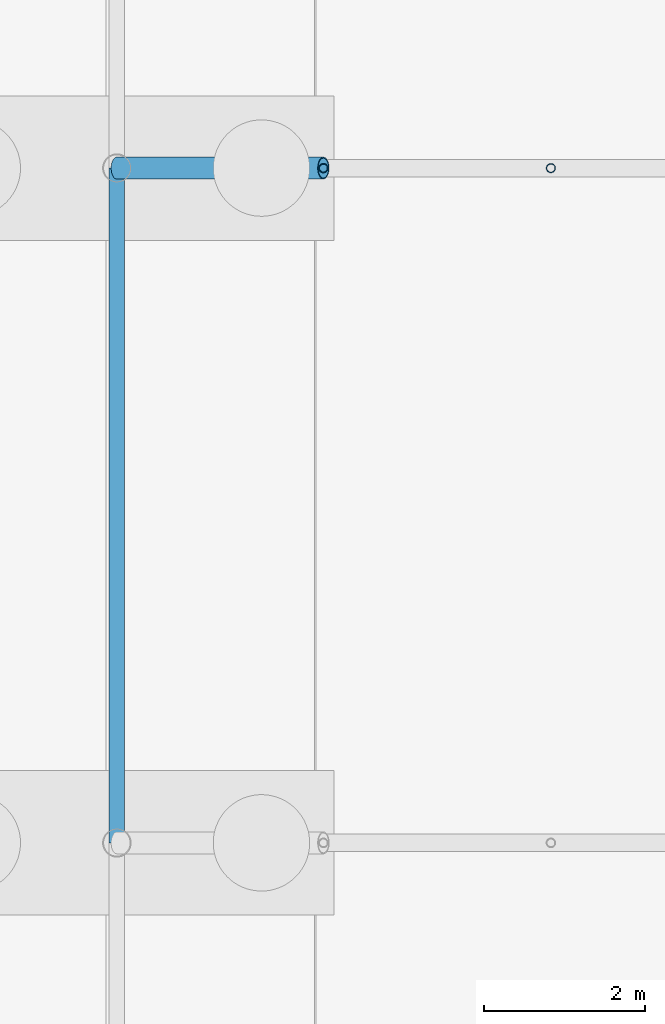
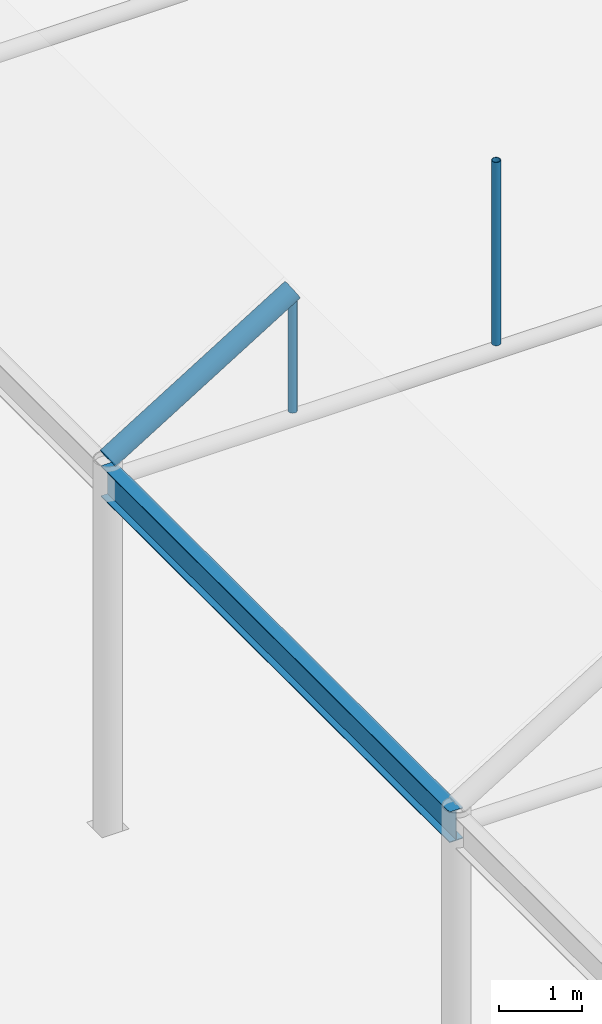
# One storey, part 98 of 212: 3 members, 1 beam.
"""IFC4 building model written with IfcOpenShell, lengths in metres."""

import ifcopenshell
import ifcopenshell.guid

model = None  # the IFC model being written
_history = None  # IfcOwnerHistory: only IFC2X3 demands one
_inside = {}  # id of a spatial element -> (the spatial element, [elements in it])
_under = {}  # id of a project, library or spatial element -> (it, [spatial elements below it])
_declared = {}  # id of a project -> (the project, [libraries it declares])
_typed = {}  # id of a type object -> (the type object, [elements of that type])
_made_of = {}  # id of a material, layer set ... -> (it, [elements and type objects made of it])


def new_model(schema):
    """Start an empty IFC model of exactly this schema.

    Asked for "IFC4X3", IfcOpenShell would pick the latest addendum, in which some entities
    have other attributes; the version numbers below select the first issue.
    IFC2X3 requires an IfcOwnerHistory on every rooted entity: one is made here for all.
    """
    global model, _history
    if schema == "IFC4X3":
        model = ifcopenshell.file(schema_version=(4, 3, 0, 0))
    else:
        model = ifcopenshell.file(schema=schema)
    _inside.clear()
    _under.clear()
    _declared.clear()
    _typed.clear()
    _made_of.clear()
    _history = None
    if model.schema == "IFC2X3":
        org = make("IfcOrganization", Name="unknown")
        user = make(
            "IfcPersonAndOrganization",
            ThePerson=make("IfcPerson", FamilyName="unknown"),
            TheOrganization=org,
        )
        app = make(
            "IfcApplication",
            ApplicationDeveloper=org,
            Version="unknown",
            ApplicationFullName="unknown",
            ApplicationIdentifier="unknown",
        )
        _history = make(
            "IfcOwnerHistory",
            OwningUser=user,
            OwningApplication=app,
            ChangeAction="ADDED",
            CreationDate=0,
        )
    return model


def make(cls, **values):
    """One entity of the class cls with the attributes given. An attribute that is None is left unset."""
    return model.create_entity(
        cls, **{name: value for name, value in values.items() if value is not None}
    )


def rooted(cls, **values):
    """An entity with a GlobalId (a new one), such as an element, a storey or a relation."""
    return make(cls, GlobalId=ifcopenshell.guid.new(), OwnerHistory=_history, **values)


def si_unit(unit_type, name, prefix=None):
    """IfcSIUnit, for example si_unit("LENGTHUNIT", "METRE", prefix="MILLI")."""
    return make("IfcSIUnit", UnitType=unit_type, Prefix=prefix, Name=name)


def assignment(units):
    """IfcUnitAssignment: the units of a project."""
    return None if units is None else make("IfcUnitAssignment", Units=units)


def point(xyz):
    """IfcCartesianPoint."""
    return None if xyz is None else make("IfcCartesianPoint", Coordinates=xyz)


def direction(xyz):
    """IfcDirection."""
    return None if xyz is None else make("IfcDirection", DirectionRatios=xyz)


def frame(location, z_axis=None, x_axis=None):
    """IfcAxis2Placement3D, a coordinate frame: its origin and axes. An axis left out is left unset."""
    return make(
        "IfcAxis2Placement3D",
        Location=point(location),
        Axis=direction(z_axis),
        RefDirection=direction(x_axis),
    )


def frame_2d(location, x_axis=None):
    """IfcAxis2Placement2D, a coordinate frame in the plane: its origin and x axis."""
    return make(
        "IfcAxis2Placement2D", Location=point(location), RefDirection=direction(x_axis)
    )


def origin():
    """The frame at (0, 0, 0) with its axes left unset."""
    return frame((0.0, 0.0, 0.0))


def origin_2d():
    """The frame at (0, 0) in the plane with its x axis left unset."""
    return frame_2d((0.0, 0.0))


def place(relative_to, where):
    """IfcLocalPlacement: puts the frame where relative to a parent placement (None: the world)."""
    return make(
        "IfcLocalPlacement", PlacementRelTo=relative_to, RelativePlacement=where
    )


def context(
    kind, dimensions, precision=None, world=None, true_north=None, identifier=None
):
    """IfcGeometricRepresentationContext, for example the 3D "Model" context."""
    return make(
        "IfcGeometricRepresentationContext",
        ContextIdentifier=identifier,
        ContextType=kind,
        CoordinateSpaceDimension=dimensions,
        Precision=precision,
        WorldCoordinateSystem=world,
        TrueNorth=true_north,
    )


def subcontext(parent, identifier, kind, view, scale=None):
    """IfcGeometricRepresentationSubContext, for example "Body" below "Model"."""
    return make(
        "IfcGeometricRepresentationSubContext",
        ContextIdentifier=identifier,
        ContextType=kind,
        ParentContext=parent,
        TargetScale=scale,
        TargetView=view,
    )


def project(units=None, contexts=None):
    """IfcProject with its units and contexts."""
    return rooted(
        "IfcProject",
        Name="project",
        RepresentationContexts=contexts,
        UnitsInContext=assignment(units),
    )


def spatial(cls, under=None, at=None, **own):
    """A site, building, storey or space (cls), placed at a placement, below another one or the project."""
    s = rooted(cls, ObjectPlacement=at, **own)
    if under is not None:
        _under.setdefault(under.id(), (under, []))[1].append(s)
    return s


def profile(cls, at=None, kind="AREA", **sizes):
    """A parametric profile (cls). Its sizes go by their IFC names, for example OverallWidth=200.0."""
    return make(cls, ProfileType=kind, Position=at, **sizes)


def hollow_circle(**sizes):
    """IfcCircleHollowProfileDef."""
    return profile("IfcCircleHollowProfileDef", **sizes)


def i_section(**sizes):
    """IfcIShapeProfileDef."""
    return profile("IfcIShapeProfileDef", **sizes)


def extrude(swept, where, along, depth):
    """IfcExtrudedAreaSolid: the profile swept, set in the frame where, extruded along a direction by depth."""
    return make(
        "IfcExtrudedAreaSolid",
        SweptArea=swept,
        Position=where,
        ExtrudedDirection=direction(along),
        Depth=depth,
    )


def shape(context_of_items, identifier, shape_type, items):
    """IfcShapeRepresentation: the items that make up one representation, for example the "Body"."""
    return make(
        "IfcShapeRepresentation",
        ContextOfItems=context_of_items,
        RepresentationIdentifier=identifier,
        RepresentationType=shape_type,
        Items=items,
    )


def material(Name=None, Category=None):
    """IfcMaterial."""
    return make("IfcMaterial", Name=Name, Category=Category)


def material_profile(
    of_material, cross_section, Name=None, Category=None, Priority=None
):
    """IfcMaterialProfile: a cross section and its material."""
    return make(
        "IfcMaterialProfile",
        Name=Name,
        Material=of_material,
        Profile=cross_section,
        Priority=Priority,
        Category=Category,
    )


def profile_set(profiles, Name=None, composite=None):
    """IfcMaterialProfileSet."""
    return make(
        "IfcMaterialProfileSet",
        Name=Name,
        MaterialProfiles=profiles,
        CompositeProfile=composite,
    )


def made_of(thing, what):
    """Note that an element or type object is made of a material, layer set ...; save() writes the relation."""
    if what is not None:
        _made_of.setdefault(what.id(), (what, []))[1].append(thing)
    return thing


def type_object(cls, material=None, **own):
    """A type object (cls), such as IfcWallType, which elements share."""
    return made_of(rooted(cls, **own), material)


def element(
    cls,
    number,
    at=None,
    inside=None,
    cuts=None,
    type_object=None,
    material=None,
    context=None,
    identifier="Body",
    shape_type=None,
    held_by="IfcProductDefinitionShape",
    body=None,
    shapes=None,
    **own,
):
    """One element of the class cls, such as IfcWall. Its Tag is "e" and its number.

    at: its placement. inside: the storey or other place that contains it. cuts: it is an
    opening in that element (IfcRelVoidsElement). A single representation is given by context,
    identifier, shape_type and body (its items); several are given by shapes. held_by: the class
    of the entity that holds the representations. save() writes the other relations.
    """
    e = rooted(cls, Tag="e%d" % number, ObjectPlacement=at, **own)
    if body is not None:
        shapes = [shape(context, identifier, shape_type, body)]
    if shapes is not None:
        e.Representation = make(held_by, Representations=shapes)
    if inside is not None:
        _inside.setdefault(inside.id(), (inside, []))[1].append(e)
    if cuts is not None:
        rooted(
            "IfcRelVoidsElement", RelatingBuildingElement=cuts, RelatedOpeningElement=e
        )
    if type_object is not None:
        _typed.setdefault(type_object.id(), (type_object, []))[1].append(e)
    return made_of(e, material)


def aggregate(whole, parts):
    """IfcRelAggregates: a whole, such as a stair, and the parts it consists of."""
    return rooted("IfcRelAggregates", RelatingObject=whole, RelatedObjects=parts)


def save(model, path):
    """Write the relations noted so far, then the file.

    IfcRelAggregates (storeys below a building ...), IfcRelContainedInSpatialStructure (elements
    in a storey), IfcRelDefinesByType, IfcRelAssociatesMaterial and IfcRelDeclares: one each for
    every whole, place, type object, material and project.
    """
    for whole, parts in _under.values():
        aggregate(whole, parts)
    for where, things in _inside.values():
        rooted(
            "IfcRelContainedInSpatialStructure",
            RelatedElements=things,
            RelatingStructure=where,
        )
    for kind, things in _typed.values():
        rooted("IfcRelDefinesByType", RelatedObjects=things, RelatingType=kind)
    for what, things in _made_of.values():
        rooted("IfcRelAssociatesMaterial", RelatedObjects=things, RelatingMaterial=what)
    for by, libraries in _declared.values():
        rooted("IfcRelDeclares", RelatingContext=by, RelatedDefinitions=libraries)
    model.write(path)


model = new_model("IFC4")

# Units and contexts
model_context = context("Model", 3, precision=1e-05, world=origin(), true_north=direction((0.0, 1.0)))
body_context = subcontext(model_context, "Body", "Model", "MODEL_VIEW")
ifc_project = project(units=[si_unit("LENGTHUNIT", "METRE"), si_unit("AREAUNIT", "SQUARE_METRE"), si_unit("VOLUMEUNIT", "CUBIC_METRE"), si_unit("PLANEANGLEUNIT", "RADIAN"), si_unit("MASSUNIT", "GRAM", prefix="KILO")], contexts=[model_context])

# Site, building, storey
site_placement = place(None, origin())
site = spatial("IfcSite", under=ifc_project, at=site_placement, CompositionType="ELEMENT")
building_placement = place(site_placement, origin())
building = spatial("IfcBuilding", under=site, at=building_placement, Name="Catenary Quay Ferry Terminal", CompositionType="ELEMENT")
storey_placement = place(building_placement, origin())
storey = spatial("IfcBuildingStorey", under=building, at=storey_placement, Name="L00", CompositionType="ELEMENT", Elevation=0.0)

# Beam
ifc_material_1 = material(Name="Steel S355", Category="steel")
ifc_material_profile_1 = material_profile(ifc_material_1, i_section(OverallWidth=0.18994140625, OverallDepth=0.453369140625, WebThickness=0.008544921875, FlangeThickness=0.0126953125, at=origin_2d()), Name="UB 457x191x67")
ifc_profile_set_1 = profile_set([ifc_material_profile_1], Name="Steel S355")
beam_type = type_object("IfcBeamType", Name="B1 UB 457x191x67", PredefinedType="BEAM", material=ifc_profile_set_1)
beam_placement = place(storey_placement, frame((8.39990234375, 100.800048828125, 5.10009765625), z_axis=(0.0, 1.0, 0.0), x_axis=(-1.0, 0.0, 0.0)))
element("IfcBeam", 1, at=beam_placement, inside=storey, type_object=beam_type, Name="Eaves beam B-FB5", PredefinedType="BEAM", context=body_context, shape_type="SweptSolid", body=[
    extrude(i_section(OverallWidth=0.18994140625, OverallDepth=0.453369140625, WebThickness=0.008544921875, FlangeThickness=0.0126953125, at=origin_2d()), origin(), (0.0, 0.0, 1.0), 8.39990234375),
])

# Members
ifc_material_2 = material(Name="Steel S355", Category="steel")
ifc_material_profile_2 = material_profile(ifc_material_2, hollow_circle(Radius=0.05712890625, WallThickness=0.00634765625, at=origin_2d()), Name="CHS 114.3x6.3")
ifc_profile_set_2 = profile_set([ifc_material_profile_2], Name="Steel S355")
member_type_1 = type_object("IfcMemberType", Name="HG1 CHS 114.3x6.3", PredefinedType="POST", material=ifc_profile_set_2)
member_1_placement = place(storey_placement, frame((10.970947265625, 109.199951171875, 5.205078125), z_axis=(0.0, 0.0, 1.0), x_axis=(1.0, 0.0, 0.0)))
element("IfcMember", 2, at=member_1_placement, inside=storey, type_object=member_type_1, Name="Hanger FC-06-01", PredefinedType="POST", context=body_context, shape_type="SweptSolid", body=[
    extrude(hollow_circle(Radius=0.05712890625, WallThickness=0.00634765625, at=origin_2d()), origin(), (0.0, 0.0, 1.0), 1.64892578125),
])
member_2_placement = place(storey_placement, frame((13.802978515625, 109.199951171875, 5.205078125), z_axis=(0.0, 0.0, 1.0), x_axis=(1.0, 0.0, 0.0)))
element("IfcMember", 3, at=member_2_placement, inside=storey, type_object=member_type_1, Name="Hanger FC-06-02", PredefinedType="POST", context=body_context, shape_type="SweptSolid", body=[
    extrude(hollow_circle(Radius=0.05712890625, WallThickness=0.00634765625, at=origin_2d()), origin(), (0.0, 0.0, 1.0), 2.69580078125),
])
ifc_material_3 = material(Name="Steel S355", Category="steel")
ifc_material_profile_3 = material_profile(ifc_material_3, hollow_circle(Radius=0.136474609375, WallThickness=0.012451171875, at=origin_2d()), Name="CHS 273x12.5")
ifc_profile_set_3 = profile_set([ifc_material_profile_3], Name="Steel S355")
member_type_2 = type_object("IfcMemberType", Name="VR2 CHS 273x12.5", PredefinedType="RAFTER", material=ifc_profile_set_3)
member_3_placement = place(storey_placement, frame((8.39990234375, 109.199951171875, 5.39990234375), z_axis=(0.851391726314, 0.0, 0.524530388408), x_axis=(0.0, 1.0, 0.0)))
element("IfcMember", 4, at=member_3_placement, inside=storey, type_object=member_type_2, Name="rib FC-06-01", PredefinedType="RAFTER", context=body_context, shape_type="SweptSolid", body=[
    extrude(hollow_circle(Radius=0.136474609375, WallThickness=0.012451171875, at=origin_2d()), origin(), (0.0, 0.0, 1.0), 3.019775390625),
])

save(model, "model.ifc")
